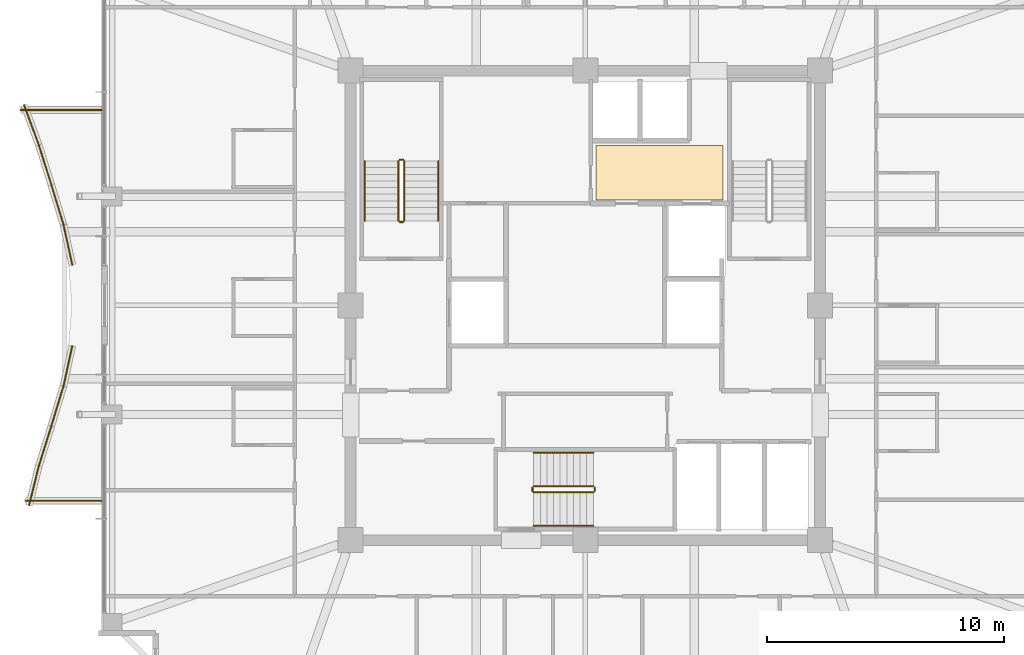
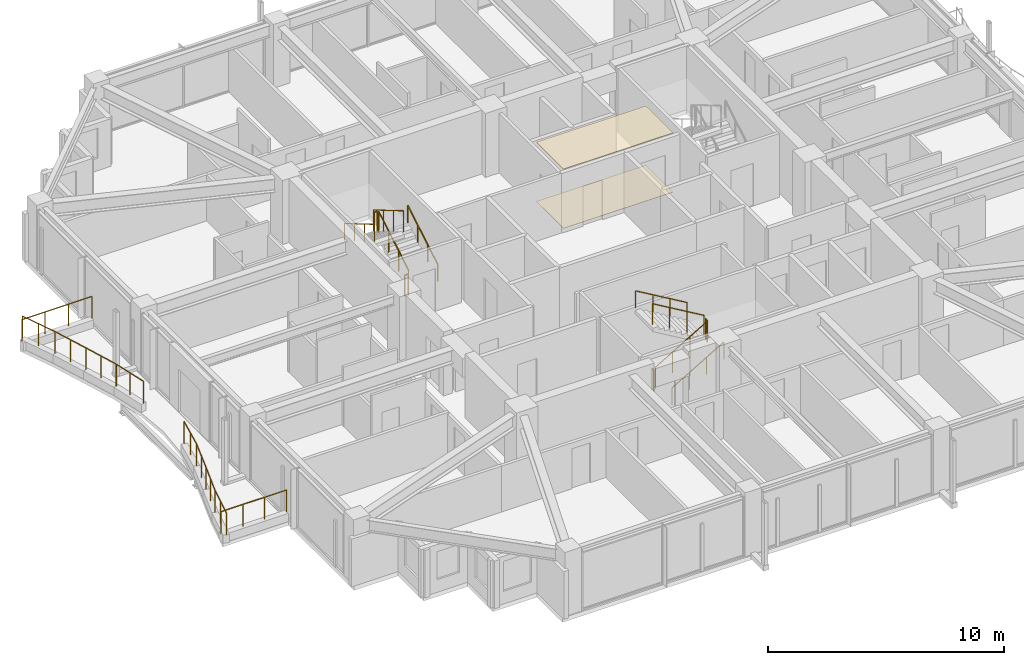
# One storey, part 34 of 35: 22 railings, 2 coverings.
"""IFC4 building model written with IfcOpenShell, lengths in metres."""

import ifcopenshell
import ifcopenshell.guid

model = None  # the IFC model being written
_history = None  # IfcOwnerHistory: only IFC2X3 demands one
_inside = {}  # id of a spatial element -> (the spatial element, [elements in it])
_under = {}  # id of a project, library or spatial element -> (it, [spatial elements below it])
_declared = {}  # id of a project -> (the project, [libraries it declares])
_typed = {}  # id of a type object -> (the type object, [elements of that type])
_made_of = {}  # id of a material, layer set ... -> (it, [elements and type objects made of it])


def new_model(schema):
    """Start an empty IFC model of exactly this schema.

    Asked for "IFC4X3", IfcOpenShell would pick the latest addendum, in which some entities
    have other attributes; the version numbers below select the first issue.
    IFC2X3 requires an IfcOwnerHistory on every rooted entity: one is made here for all.
    """
    global model, _history
    if schema == "IFC4X3":
        model = ifcopenshell.file(schema_version=(4, 3, 0, 0))
    else:
        model = ifcopenshell.file(schema=schema)
    _inside.clear()
    _under.clear()
    _declared.clear()
    _typed.clear()
    _made_of.clear()
    _history = None
    if model.schema == "IFC2X3":
        org = make("IfcOrganization", Name="unknown")
        user = make(
            "IfcPersonAndOrganization",
            ThePerson=make("IfcPerson", FamilyName="unknown"),
            TheOrganization=org,
        )
        app = make(
            "IfcApplication",
            ApplicationDeveloper=org,
            Version="unknown",
            ApplicationFullName="unknown",
            ApplicationIdentifier="unknown",
        )
        _history = make(
            "IfcOwnerHistory",
            OwningUser=user,
            OwningApplication=app,
            ChangeAction="ADDED",
            CreationDate=0,
        )
    return model


def make(cls, **values):
    """One entity of the class cls with the attributes given. An attribute that is None is left unset."""
    return model.create_entity(
        cls, **{name: value for name, value in values.items() if value is not None}
    )


def rooted(cls, **values):
    """An entity with a GlobalId (a new one), such as an element, a storey or a relation."""
    return make(cls, GlobalId=ifcopenshell.guid.new(), OwnerHistory=_history, **values)


def si_unit(unit_type, name, prefix=None):
    """IfcSIUnit, for example si_unit("LENGTHUNIT", "METRE", prefix="MILLI")."""
    return make("IfcSIUnit", UnitType=unit_type, Prefix=prefix, Name=name)


def assignment(units):
    """IfcUnitAssignment: the units of a project."""
    return None if units is None else make("IfcUnitAssignment", Units=units)


def point(xyz):
    """IfcCartesianPoint."""
    return None if xyz is None else make("IfcCartesianPoint", Coordinates=xyz)


def direction(xyz):
    """IfcDirection."""
    return None if xyz is None else make("IfcDirection", DirectionRatios=xyz)


def frame(location, z_axis=None, x_axis=None):
    """IfcAxis2Placement3D, a coordinate frame: its origin and axes. An axis left out is left unset."""
    return make(
        "IfcAxis2Placement3D",
        Location=point(location),
        Axis=direction(z_axis),
        RefDirection=direction(x_axis),
    )


def frame_2d(location, x_axis=None):
    """IfcAxis2Placement2D, a coordinate frame in the plane: its origin and x axis."""
    return make(
        "IfcAxis2Placement2D", Location=point(location), RefDirection=direction(x_axis)
    )


def origin():
    """The frame at (0, 0, 0) with its axes left unset."""
    return frame((0.0, 0.0, 0.0))


def origin_2d():
    """The frame at (0, 0) in the plane with its x axis left unset."""
    return frame_2d((0.0, 0.0))


def place(relative_to, where):
    """IfcLocalPlacement: puts the frame where relative to a parent placement (None: the world)."""
    return make(
        "IfcLocalPlacement", PlacementRelTo=relative_to, RelativePlacement=where
    )


def context(
    kind, dimensions, precision=None, world=None, true_north=None, identifier=None
):
    """IfcGeometricRepresentationContext, for example the 3D "Model" context."""
    return make(
        "IfcGeometricRepresentationContext",
        ContextIdentifier=identifier,
        ContextType=kind,
        CoordinateSpaceDimension=dimensions,
        Precision=precision,
        WorldCoordinateSystem=world,
        TrueNorth=true_north,
    )


def subcontext(parent, identifier, kind, view, scale=None):
    """IfcGeometricRepresentationSubContext, for example "Body" below "Model"."""
    return make(
        "IfcGeometricRepresentationSubContext",
        ContextIdentifier=identifier,
        ContextType=kind,
        ParentContext=parent,
        TargetScale=scale,
        TargetView=view,
    )


def project(units=None, contexts=None):
    """IfcProject with its units and contexts."""
    return rooted(
        "IfcProject",
        Name="project",
        RepresentationContexts=contexts,
        UnitsInContext=assignment(units),
    )


def spatial(cls, under=None, at=None, **own):
    """A site, building, storey or space (cls), placed at a placement, below another one or the project."""
    s = rooted(cls, ObjectPlacement=at, **own)
    if under is not None:
        _under.setdefault(under.id(), (under, []))[1].append(s)
    return s


def polyline(points):
    """IfcPolyline through the points."""
    return make("IfcPolyline", Points=[point(p) for p in points])


def profile(cls, at=None, kind="AREA", **sizes):
    """A parametric profile (cls). Its sizes go by their IFC names, for example OverallWidth=200.0."""
    return make(cls, ProfileType=kind, Position=at, **sizes)


def circle(**sizes):
    """IfcCircleProfileDef."""
    return profile("IfcCircleProfileDef", **sizes)


def outline(outer, holes=None, kind="AREA"):
    """IfcArbitraryClosedProfileDef: a profile drawn as a closed curve; with holes, ...WithVoids."""
    if holes is None:
        return make("IfcArbitraryClosedProfileDef", ProfileType=kind, OuterCurve=outer)
    return make(
        "IfcArbitraryProfileDefWithVoids",
        ProfileType=kind,
        OuterCurve=outer,
        InnerCurves=holes,
    )


def extrude(swept, where, along, depth):
    """IfcExtrudedAreaSolid: the profile swept, set in the frame where, extruded along a direction by depth."""
    return make(
        "IfcExtrudedAreaSolid",
        SweptArea=swept,
        Position=where,
        ExtrudedDirection=direction(along),
        Depth=depth,
    )


def shape(context_of_items, identifier, shape_type, items):
    """IfcShapeRepresentation: the items that make up one representation, for example the "Body"."""
    return make(
        "IfcShapeRepresentation",
        ContextOfItems=context_of_items,
        RepresentationIdentifier=identifier,
        RepresentationType=shape_type,
        Items=items,
    )


def material(Name=None, Category=None):
    """IfcMaterial."""
    return make("IfcMaterial", Name=Name, Category=Category)


def layer(
    of_material, thickness, ventilated=None, Name=None, Category=None, Priority=None
):
    """IfcMaterialLayer: one layer of a wall or slab, of a material (None: an air gap)."""
    return make(
        "IfcMaterialLayer",
        Material=of_material,
        LayerThickness=thickness,
        IsVentilated=ventilated,
        Name=Name,
        Category=Category,
        Priority=Priority,
    )


def layer_set(layers, Name=None):
    """IfcMaterialLayerSet."""
    return make("IfcMaterialLayerSet", MaterialLayers=layers, LayerSetName=Name)


def made_of(thing, what):
    """Note that an element or type object is made of a material, layer set ...; save() writes the relation."""
    if what is not None:
        _made_of.setdefault(what.id(), (what, []))[1].append(thing)
    return thing


def type_object(cls, material=None, **own):
    """A type object (cls), such as IfcWallType, which elements share."""
    return made_of(rooted(cls, **own), material)


def element(
    cls,
    number,
    at=None,
    inside=None,
    cuts=None,
    type_object=None,
    material=None,
    context=None,
    identifier="Body",
    shape_type=None,
    held_by="IfcProductDefinitionShape",
    body=None,
    shapes=None,
    **own,
):
    """One element of the class cls, such as IfcWall. Its Tag is "e" and its number.

    at: its placement. inside: the storey or other place that contains it. cuts: it is an
    opening in that element (IfcRelVoidsElement). A single representation is given by context,
    identifier, shape_type and body (its items); several are given by shapes. held_by: the class
    of the entity that holds the representations. save() writes the other relations.
    """
    e = rooted(cls, Tag="e%d" % number, ObjectPlacement=at, **own)
    if body is not None:
        shapes = [shape(context, identifier, shape_type, body)]
    if shapes is not None:
        e.Representation = make(held_by, Representations=shapes)
    if inside is not None:
        _inside.setdefault(inside.id(), (inside, []))[1].append(e)
    if cuts is not None:
        rooted(
            "IfcRelVoidsElement", RelatingBuildingElement=cuts, RelatedOpeningElement=e
        )
    if type_object is not None:
        _typed.setdefault(type_object.id(), (type_object, []))[1].append(e)
    return made_of(e, material)


def aggregate(whole, parts):
    """IfcRelAggregates: a whole, such as a stair, and the parts it consists of."""
    return rooted("IfcRelAggregates", RelatingObject=whole, RelatedObjects=parts)


def save(model, path):
    """Write the relations noted so far, then the file.

    IfcRelAggregates (storeys below a building ...), IfcRelContainedInSpatialStructure (elements
    in a storey), IfcRelDefinesByType, IfcRelAssociatesMaterial and IfcRelDeclares: one each for
    every whole, place, type object, material and project.
    """
    for whole, parts in _under.values():
        aggregate(whole, parts)
    for where, things in _inside.values():
        rooted(
            "IfcRelContainedInSpatialStructure",
            RelatedElements=things,
            RelatingStructure=where,
        )
    for kind, things in _typed.values():
        rooted("IfcRelDefinesByType", RelatedObjects=things, RelatingType=kind)
    for what, things in _made_of.values():
        rooted("IfcRelAssociatesMaterial", RelatedObjects=things, RelatingMaterial=what)
    for by, libraries in _declared.values():
        rooted("IfcRelDeclares", RelatingContext=by, RelatedDefinitions=libraries)
    model.write(path)


model = new_model("IFC4")

# Units and contexts
model_context = context("Model", 3, precision=1e-05, world=origin(), true_north=direction((0.0, 1.0)))
body_context = subcontext(model_context, "Body", "Model", "MODEL_VIEW")
ifc_project = project(units=[si_unit("LENGTHUNIT", "METRE"), si_unit("AREAUNIT", "SQUARE_METRE"), si_unit("VOLUMEUNIT", "CUBIC_METRE"), si_unit("PLANEANGLEUNIT", "RADIAN"), si_unit("MASSUNIT", "GRAM", prefix="KILO")], contexts=[model_context])

# Site, building, storey
site_placement = place(None, origin())
site = spatial("IfcSite", under=ifc_project, at=site_placement, CompositionType="ELEMENT")
building_placement = place(site_placement, origin())
building = spatial("IfcBuilding", under=site, at=building_placement, Name="Kolvaren Belvedere", CompositionType="ELEMENT")
storey_placement = place(building_placement, frame((0.0, 0.0, 216.300048828125)))
storey = spatial("IfcBuildingStorey", under=building, at=storey_placement, Name="L63", CompositionType="ELEMENT", Elevation=216.300048828125)

# Coverings
ifc_material_1 = material(Name="Acoustic perforated gypsum board", Category="gypsum")
ifc_layer_1 = layer(ifc_material_1, 0.02490234375)
ifc_layer_set_1 = layer_set([ifc_layer_1], Name="Acoustic perforated gypsum board")
covering_type_1 = type_object("IfcCoveringType", Name="COV-CEIL-GYP", PredefinedType="CEILING", material=ifc_layer_set_1)
covering_1_placement = place(storey_placement, frame((0.0, 0.0, 3.054931640625)))
element("IfcCovering", 1, at=covering_1_placement, inside=storey, type_object=covering_type_1, Name="L63 Lift Lobby Acoustic Baffle Ceiling", PredefinedType="CEILING", context=body_context, shape_type="SweptSolid", body=[
    extrude(outline(polyline([(0.449951171875, 4.449951171875), (5.800048828125, 4.449951171875), (5.800048828125, 6.75), (0.449951171875, 6.75), (0.449951171875, 4.449951171875)])), origin(), (0.0, 0.0, 1.0), 0.02490234375),
])
ifc_material_2 = material(Name="Engineered Pacific white oak", Category="timber")
ifc_layer_2 = layer(ifc_material_2, 0.02001953125)
ifc_layer_set_2 = layer_set([ifc_layer_2], Name="Engineered Pacific white oak")
covering_type_2 = type_object("IfcCoveringType", Name="COV-FLR-OAK", PredefinedType="FLOORING", material=ifc_layer_set_2)
covering_2_placement = place(storey_placement, origin())
element("IfcCovering", 2, at=covering_2_placement, inside=storey, type_object=covering_type_2, Name="L63 Lift Lobby Finish Flooring", PredefinedType="FLOORING", context=body_context, shape_type="SweptSolid", body=[
    extrude(outline(polyline([(0.449951171875, 4.449951171875), (5.800048828125, 4.449951171875), (5.800048828125, 6.75), (0.449951171875, 6.75), (0.449951171875, 4.449951171875)])), origin(), (0.0, 0.0, 1.0), 0.02001953125),
])

# Railings
ifc_material_3 = material(Name="Anodised pale-metal aluminium & laminated glass guard", Category="aluminium")
railing_type_1 = type_object("IfcRailingType", Name="RL-GUARD-1150", PredefinedType="GUARDRAIL", material=ifc_material_3)
railing_1_placement = place(storey_placement, frame((-23.669921875, 8.455322265625, 0.3798828125)))
element("IfcRailing", 3, at=railing_1_placement, inside=storey, type_object=railing_type_1, Name="L63 Exterior Deck Safety Guard BAL-W-1", PredefinedType="GUARDRAIL", context=body_context, shape_type="SweptSolid", body=[
    extrude(circle(Radius=0.02392578125, at=origin_2d()), frame((0.0, 0.0, 1.1259765625), z_axis=(0.346292864983, -0.938126458246, 0.0), x_axis=(0.938126458246, 0.346292864983, 0.0)), (0.0, 0.0, 1.0), 1.790771484375),
    extrude(circle(Radius=0.02099609375, at=origin_2d()), origin(), (0.0, 0.0, 1.0), 1.101806640625),
    extrude(circle(Radius=0.02099609375, at=origin_2d()), frame((0.31005859375, -0.83984375, 0.0)), (0.0, 0.0, 1.0), 1.101806640625),
    extrude(circle(Radius=0.02099609375, at=origin_2d()), frame((0.6201171875, -1.679931640625, 0.0)), (0.0, 0.0, 1.0), 1.101806640625),
])
railing_2_placement = place(storey_placement, frame((-23.047119140625, 6.767822265625, 0.3798828125)))
element("IfcRailing", 4, at=railing_2_placement, inside=storey, type_object=railing_type_1, Name="L63 Exterior Deck Safety Guard BAL-W-2", PredefinedType="GUARDRAIL", context=body_context, shape_type="SweptSolid", body=[
    extrude(circle(Radius=0.02392578125, at=origin_2d()), frame((0.0, 0.0, 1.1259765625), z_axis=(0.299624691176, -0.954057149461, 0.0), x_axis=(0.954057149461, 0.299624691176, 0.0)), (0.0, 0.0, 1.0), 1.7607421875),
    extrude(circle(Radius=0.02099609375, at=origin_2d()), origin(), (0.0, 0.0, 1.0), 1.101806640625),
    extrude(circle(Radius=0.02099609375, at=origin_2d()), frame((0.263671875, -0.83984375, 0.0)), (0.0, 0.0, 1.0), 1.101806640625),
    extrude(circle(Radius=0.02099609375, at=origin_2d()), frame((0.527587890625, -1.679931640625, 0.0)), (0.0, 0.0, 1.0), 1.101806640625),
])
railing_3_placement = place(storey_placement, frame((-22.51904296875, 5.086669921875, 0.3798828125)))
element("IfcRailing", 5, at=railing_3_placement, inside=storey, type_object=railing_type_1, Name="L63 Exterior Deck Safety Guard BAL-W-3", PredefinedType="GUARDRAIL", context=body_context, shape_type="SweptSolid", body=[
    extrude(circle(Radius=0.02392578125, at=origin_2d()), frame((0.0, 0.0, 1.1259765625), z_axis=(0.290840734999, -0.956771481005, 0.0), x_axis=(0.956771481005, 0.290840734999, 0.0)), (0.0, 0.0, 1.0), 1.756103515625),
    extrude(circle(Radius=0.02099609375, at=origin_2d()), origin(), (0.0, 0.0, 1.0), 1.101806640625),
    extrude(circle(Radius=0.02099609375, at=origin_2d()), frame((0.25537109375, -0.840087890625, 0.0)), (0.0, 0.0, 1.0), 1.101806640625),
    extrude(circle(Radius=0.02099609375, at=origin_2d()), frame((0.5107421875, -1.68017578125, 0.0)), (0.0, 0.0, 1.0), 1.101806640625),
])
railing_4_placement = place(storey_placement, frame((-22.0048828125, 3.394287109375, 0.3798828125)))
element("IfcRailing", 6, at=railing_4_placement, inside=storey, type_object=railing_type_1, Name="L63 Exterior Deck Safety Guard BAL-W-4", PredefinedType="GUARDRAIL", context=body_context, shape_type="SweptSolid", body=[
    extrude(circle(Radius=0.02392578125, at=origin_2d()), frame((0.0, 0.0, 1.1259765625), z_axis=(0.213773077423, -0.976883345835, 0.0), x_axis=(0.976883345835, 0.213773077423, 0.0)), (0.0, 0.0, 1.0), 1.719970703125),
    extrude(circle(Radius=0.02099609375, at=origin_2d()), origin(), (0.0, 0.0, 1.0), 1.101806640625),
    extrude(circle(Radius=0.02099609375, at=origin_2d()), frame((0.183837890625, -0.840087890625, 0.0)), (0.0, 0.0, 1.0), 1.101806640625),
    extrude(circle(Radius=0.02099609375, at=origin_2d()), frame((0.36767578125, -1.68017578125, 0.0)), (0.0, 0.0, 1.0), 1.101806640625),
])
railing_5_placement = place(storey_placement, frame((-21.63720703125, -1.714111328125, 0.3798828125)))
element("IfcRailing", 7, at=railing_5_placement, inside=storey, type_object=railing_type_1, Name="L63 Exterior Deck Safety Guard BAL-W-7", PredefinedType="GUARDRAIL", context=body_context, shape_type="SweptSolid", body=[
    extrude(circle(Radius=0.02392578125, at=origin_2d()), frame((0.0, 0.0, 1.1259765625), z_axis=(-0.213773077423, -0.976883345835, 0.0), x_axis=(0.976883345835, -0.213773077423, 0.0)), (0.0, 0.0, 1.0), 1.719970703125),
    extrude(circle(Radius=0.02099609375, at=origin_2d()), origin(), (0.0, 0.0, 1.0), 1.101806640625),
    extrude(circle(Radius=0.02099609375, at=origin_2d()), frame((-0.183837890625, -0.840087890625, 0.0)), (0.0, 0.0, 1.0), 1.101806640625),
    extrude(circle(Radius=0.02099609375, at=origin_2d()), frame((-0.36767578125, -1.68017578125, 0.0)), (0.0, 0.0, 1.0), 1.101806640625),
])
railing_6_placement = place(storey_placement, frame((-22.00830078125, -3.406494140625, 0.3798828125)))
element("IfcRailing", 8, at=railing_6_placement, inside=storey, type_object=railing_type_1, Name="L63 Exterior Deck Safety Guard BAL-W-8", PredefinedType="GUARDRAIL", context=body_context, shape_type="SweptSolid", body=[
    extrude(circle(Radius=0.02392578125, at=origin_2d()), frame((0.0, 0.0, 1.1259765625), z_axis=(-0.290840734999, -0.956771481005, 0.0), x_axis=(0.956771481005, -0.290840734999, 0.0)), (0.0, 0.0, 1.0), 1.756103515625),
    extrude(circle(Radius=0.02099609375, at=origin_2d()), origin(), (0.0, 0.0, 1.0), 1.101806640625),
    extrude(circle(Radius=0.02099609375, at=origin_2d()), frame((-0.25537109375, -0.840087890625, 0.0)), (0.0, 0.0, 1.0), 1.101806640625),
    extrude(circle(Radius=0.02099609375, at=origin_2d()), frame((-0.5107421875, -1.68017578125, 0.0)), (0.0, 0.0, 1.0), 1.101806640625),
])
railing_7_placement = place(storey_placement, frame((-22.51953125, -5.087890625, 0.3798828125)))
element("IfcRailing", 9, at=railing_7_placement, inside=storey, type_object=railing_type_1, Name="L63 Exterior Deck Safety Guard BAL-W-9", PredefinedType="GUARDRAIL", context=body_context, shape_type="SweptSolid", body=[
    extrude(circle(Radius=0.02392578125, at=origin_2d()), frame((0.0, 0.0, 1.1259765625), z_axis=(-0.299624691176, -0.954057149461, 0.0), x_axis=(0.954057149461, -0.299624691176, 0.0)), (0.0, 0.0, 1.0), 1.7607421875),
    extrude(circle(Radius=0.02099609375, at=origin_2d()), origin(), (0.0, 0.0, 1.0), 1.101806640625),
    extrude(circle(Radius=0.02099609375, at=origin_2d()), frame((-0.263671875, -0.83984375, 0.0)), (0.0, 0.0, 1.0), 1.101806640625),
    extrude(circle(Radius=0.02099609375, at=origin_2d()), frame((-0.527587890625, -1.679931640625, 0.0)), (0.0, 0.0, 1.0), 1.101806640625),
])
railing_8_placement = place(storey_placement, frame((-23.04443359375, -6.75830078125, 0.3798828125)))
element("IfcRailing", 10, at=railing_8_placement, inside=storey, type_object=railing_type_1, Name="L63 Exterior Deck Safety Guard BAL-W-10", PredefinedType="GUARDRAIL", context=body_context, shape_type="SweptSolid", body=[
    extrude(circle(Radius=0.02392578125, at=origin_2d()), frame((0.0, 0.0, 1.1259765625), z_axis=(-0.239180748277, -0.970975061293, 0.0), x_axis=(0.970975061293, -0.239180748277, 0.0)), (0.0, 0.0, 1.0), 1.730224609375),
    extrude(circle(Radius=0.02099609375, at=origin_2d()), origin(), (0.0, 0.0, 1.0), 1.101806640625),
    extrude(circle(Radius=0.02099609375, at=origin_2d()), frame((-0.20703125, -0.83984375, 0.0)), (0.0, 0.0, 1.0), 1.101806640625),
    extrude(circle(Radius=0.02099609375, at=origin_2d()), frame((-0.413818359375, -1.679931640625, 0.0)), (0.0, 0.0, 1.0), 1.101806640625),
])
railing_9_placement = place(storey_placement, frame((-23.61376953125, -8.239990234375, 0.3798828125)))
element("IfcRailing", 11, at=railing_9_placement, inside=storey, type_object=railing_type_1, Name="L63 Exterior Deck Safety Guard BAL-W-11", PredefinedType="GUARDRAIL", context=body_context, shape_type="SweptSolid", body=[
    extrude(circle(Radius=0.02392578125, at=origin_2d()), frame((0.0, 0.0, 1.1259765625), z_axis=(1.0, 0.0, 0.0), x_axis=(0.0, 1.0, 0.0)), (0.0, 0.0, 1.0), 3.2138671875),
    extrude(circle(Radius=0.02099609375, at=origin_2d()), origin(), (0.0, 0.0, 1.0), 1.101806640625),
    extrude(circle(Radius=0.02099609375, at=origin_2d()), frame((1.0712890625, 0.0, 0.0)), (0.0, 0.0, 1.0), 1.101806640625),
    extrude(circle(Radius=0.02099609375, at=origin_2d()), frame((2.142578125, 0.0, 0.0)), (0.0, 0.0, 1.0), 1.101806640625),
    extrude(circle(Radius=0.02099609375, at=origin_2d()), frame((3.2138671875, 0.0, 0.0)), (0.0, 0.0, 1.0), 1.101806640625),
])
railing_10_placement = place(storey_placement, frame((-20.39990234375, 8.239990234375, 0.3798828125)))
element("IfcRailing", 12, at=railing_10_placement, inside=storey, type_object=railing_type_1, Name="L63 Exterior Deck Safety Guard BAL-W-22", PredefinedType="GUARDRAIL", context=body_context, shape_type="SweptSolid", body=[
    extrude(circle(Radius=0.02392578125, at=origin_2d()), frame((0.0, 0.0, 1.1259765625), z_axis=(-1.0, 0.0, 0.0), x_axis=(0.0, -1.0, 0.0)), (0.0, 0.0, 1.0), 3.420166015625),
    extrude(circle(Radius=0.02099609375, at=origin_2d()), origin(), (0.0, 0.0, 1.0), 1.101806640625),
    extrude(circle(Radius=0.02099609375, at=origin_2d()), frame((-1.14013671875, 0.0, 0.0)), (0.0, 0.0, 1.0), 1.101806640625),
    extrude(circle(Radius=0.02099609375, at=origin_2d()), frame((-2.280029296875, 0.0, 0.0)), (0.0, 0.0, 1.0), 1.101806640625),
    extrude(circle(Radius=0.02099609375, at=origin_2d()), frame((-3.420166015625, 0.0, 0.0)), (0.0, 0.0, 1.0), 1.101806640625),
])
ifc_material_4 = material(Name="Brushed stainless-steel handrail", Category="steel")
railing_type_2 = type_object("IfcRailingType", Name="RL-HANDRAIL-920", PredefinedType="HANDRAIL", material=ifc_material_4)
railing_11_placement = place(storey_placement, frame((-6.2099609375, 3.570068359375, 0.1650390625)))
element("IfcRailing", 13, at=railing_11_placement, inside=storey, type_object=railing_type_2, Name="L63 ST-1 stair handrail 1", PredefinedType="HANDRAIL", context=body_context, shape_type="SweptSolid", body=[
    extrude(circle(Radius=0.02392578125, at=origin_2d()), frame((0.0, 0.0, 0.8759765625), z_axis=(0.0, 0.861560626758, 0.507654692109), x_axis=(-1.0, 0.0, 0.0)), (0.0, 0.0, 1.0), 2.925048828125),
    extrude(circle(Radius=0.02099609375, at=origin_2d()), origin(), (0.0, 0.0, 1.0), 0.851806640625),
    extrude(circle(Radius=0.02099609375, at=origin_2d()), frame((0.0, 0.840087890625, 0.494873046875)), (0.0, 0.0, 1.0), 0.851806640625),
    extrude(circle(Radius=0.02099609375, at=origin_2d()), frame((0.0, 1.679931640625, 0.989990234375)), (0.0, 0.0, 1.0), 0.851806640625),
    extrude(circle(Radius=0.02099609375, at=origin_2d()), frame((0.0, 2.52001953125, 1.48486328125)), (0.0, 0.0, 1.0), 0.851806640625),
])
railing_12_placement = place(storey_placement, frame((-9.300048828125, 6.090087890625, 1.81494140625)))
element("IfcRailing", 14, at=railing_12_placement, inside=storey, type_object=railing_type_2, Name="L63 ST-1 stair handrail 2", PredefinedType="HANDRAIL", context=body_context, shape_type="SweptSolid", body=[
    extrude(circle(Radius=0.02392578125, at=origin_2d()), frame((0.0, 0.0, 0.8759765625), z_axis=(0.0, -0.86152411907, 0.507716645641), x_axis=(1.0, 0.0, 0.0)), (0.0, 0.0, 1.0), 2.925048828125),
    extrude(circle(Radius=0.02099609375, at=origin_2d()), origin(), (0.0, 0.0, 1.0), 0.851806640625),
    extrude(circle(Radius=0.02099609375, at=origin_2d()), frame((0.0, -0.840087890625, 0.4951171875)), (0.0, 0.0, 1.0), 0.851806640625),
    extrude(circle(Radius=0.02099609375, at=origin_2d()), frame((0.0, -1.679931640625, 0.989990234375)), (0.0, 0.0, 1.0), 0.851806640625),
    extrude(circle(Radius=0.02099609375, at=origin_2d()), frame((0.0, -2.52001953125, 1.485107421875)), (0.0, 0.0, 1.0), 0.851806640625),
])
railing_13_placement = place(storey_placement, frame((-2.179931640625, -9.300048828125, 0.1650390625)))
element("IfcRailing", 15, at=railing_13_placement, inside=storey, type_object=railing_type_2, Name="L63 ST-3 stair handrail 1", PredefinedType="HANDRAIL", context=body_context, shape_type="SweptSolid", body=[
    extrude(circle(Radius=0.02392578125, at=origin_2d()), frame((0.0, 0.0, 0.8759765625), z_axis=(0.861560626758, 0.0, 0.507654692109), x_axis=(0.0, 1.0, 0.0)), (0.0, 0.0, 1.0), 2.925048828125),
    extrude(circle(Radius=0.02099609375, at=origin_2d()), origin(), (0.0, 0.0, 1.0), 0.851806640625),
    extrude(circle(Radius=0.02099609375, at=origin_2d()), frame((0.840087890625, 0.0, 0.494873046875)), (0.0, 0.0, 1.0), 0.851806640625),
    extrude(circle(Radius=0.02099609375, at=origin_2d()), frame((1.679931640625, 0.0, 0.989990234375)), (0.0, 0.0, 1.0), 0.851806640625),
    extrude(circle(Radius=0.02099609375, at=origin_2d()), frame((2.52001953125, 0.0, 1.48486328125)), (0.0, 0.0, 1.0), 0.851806640625),
])
railing_14_placement = place(storey_placement, frame((0.340087890625, -6.2099609375, 1.81494140625)))
element("IfcRailing", 16, at=railing_14_placement, inside=storey, type_object=railing_type_2, Name="L63 ST-3 stair handrail 2", PredefinedType="HANDRAIL", context=body_context, shape_type="SweptSolid", body=[
    extrude(circle(Radius=0.02392578125, at=origin_2d()), frame((0.0, 0.0, 0.8759765625), z_axis=(-0.86152411907, 0.0, 0.507716645641), x_axis=(0.0, -1.0, 0.0)), (0.0, 0.0, 1.0), 2.925048828125),
    extrude(circle(Radius=0.02099609375, at=origin_2d()), origin(), (0.0, 0.0, 1.0), 0.851806640625),
    extrude(circle(Radius=0.02099609375, at=origin_2d()), frame((-0.840087890625, 0.0, 0.4951171875)), (0.0, 0.0, 1.0), 0.851806640625),
    extrude(circle(Radius=0.02099609375, at=origin_2d()), frame((-1.679931640625, 0.0, 0.989990234375)), (0.0, 0.0, 1.0), 0.851806640625),
    extrude(circle(Radius=0.02099609375, at=origin_2d()), frame((-2.52001953125, 0.0, 1.485107421875)), (0.0, 0.0, 1.0), 0.851806640625),
])
ifc_material_5 = material(Name="Painted tubular steel stair guard", Category="steel")
railing_type_3 = type_object("IfcRailingType", Name="RL-STGUARD-1100", PredefinedType="GUARDRAIL", material=ifc_material_5)
railing_15_placement = place(storey_placement, frame((-7.6298828125, 3.570068359375, 0.1650390625)))
element("IfcRailing", 17, at=railing_15_placement, inside=storey, type_object=railing_type_3, Name="L63 ST-1 stair guard 1", PredefinedType="GUARDRAIL", context=body_context, shape_type="SweptSolid", body=[
    extrude(circle(Radius=0.02392578125, at=origin_2d()), frame((0.0, 0.0, 1.076171875), z_axis=(0.0, 0.861560626758, 0.507654692109), x_axis=(-1.0, 0.0, 0.0)), (0.0, 0.0, 1.0), 2.925048828125),
    extrude(circle(Radius=0.02099609375, at=origin_2d()), origin(), (0.0, 0.0, 1.0), 1.052001953125),
    extrude(circle(Radius=0.02099609375, at=origin_2d()), frame((0.0, 0.840087890625, 0.494873046875)), (0.0, 0.0, 1.0), 1.052001953125),
    extrude(circle(Radius=0.02099609375, at=origin_2d()), frame((0.0, 1.679931640625, 0.989990234375)), (0.0, 0.0, 1.0), 1.052001953125),
    extrude(circle(Radius=0.02099609375, at=origin_2d()), frame((0.0, 2.52001953125, 1.48486328125)), (0.0, 0.0, 1.0), 1.052001953125),
])
railing_16_placement = place(storey_placement, frame((-7.679931640625, 6.139892578125, 1.64990234375)))
element("IfcRailing", 18, at=railing_16_placement, inside=storey, type_object=railing_type_3, Name="L63 ST-1 stair guard 2", PredefinedType="GUARDRAIL", context=body_context, shape_type="SweptSolid", body=[
    extrude(circle(Radius=0.02392578125, at=origin_2d()), frame((0.0, 0.0, 1.076171875), z_axis=(-1.0, 0.0, 0.0), x_axis=(0.0, -1.0, 0.0)), (0.0, 0.0, 1.0), 0.150146484375),
    extrude(circle(Radius=0.02099609375, at=origin_2d()), origin(), (0.0, 0.0, 1.0), 1.052001953125),
    extrude(circle(Radius=0.02099609375, at=origin_2d()), frame((-0.150146484375, 0.0, 0.0)), (0.0, 0.0, 1.0), 1.052001953125),
])
railing_17_placement = place(storey_placement, frame((-7.8798828125, 6.090087890625, 1.81494140625)))
element("IfcRailing", 19, at=railing_17_placement, inside=storey, type_object=railing_type_3, Name="L63 ST-1 stair guard 3", PredefinedType="GUARDRAIL", context=body_context, shape_type="SweptSolid", body=[
    extrude(circle(Radius=0.02392578125, at=origin_2d()), frame((0.0, 0.0, 1.076171875), z_axis=(0.0, -0.86152411907, 0.507716645641), x_axis=(1.0, 0.0, 0.0)), (0.0, 0.0, 1.0), 2.925048828125),
    extrude(circle(Radius=0.02099609375, at=origin_2d()), origin(), (0.0, 0.0, 1.0), 1.052001953125),
    extrude(circle(Radius=0.02099609375, at=origin_2d()), frame((0.0, -0.840087890625, 0.4951171875)), (0.0, 0.0, 1.0), 1.052001953125),
    extrude(circle(Radius=0.02099609375, at=origin_2d()), frame((0.0, -1.679931640625, 0.989990234375)), (0.0, 0.0, 1.0), 1.052001953125),
    extrude(circle(Radius=0.02099609375, at=origin_2d()), frame((0.0, -2.52001953125, 1.485107421875)), (0.0, 0.0, 1.0), 1.052001953125),
])
railing_18_placement = place(storey_placement, frame((-7.679931640625, 3.52001953125, 0.0)))
element("IfcRailing", 20, at=railing_18_placement, inside=storey, type_object=railing_type_3, Name="L63 ST-1 stair guard 4", PredefinedType="GUARDRAIL", context=body_context, shape_type="SweptSolid", body=[
    extrude(circle(Radius=0.02392578125, at=origin_2d()), frame((0.0, 0.0, 1.076171875), z_axis=(-1.0, 0.0, 0.0), x_axis=(0.0, -1.0, 0.0)), (0.0, 0.0, 1.0), 0.150146484375),
    extrude(circle(Radius=0.02099609375, at=origin_2d()), origin(), (0.0, 0.0, 1.0), 1.052001953125),
    extrude(circle(Radius=0.02099609375, at=origin_2d()), frame((-0.150146484375, 0.0, 0.0)), (0.0, 0.0, 1.0), 1.052001953125),
])
railing_19_placement = place(storey_placement, frame((-2.179931640625, -7.8798828125, 0.1650390625)))
element("IfcRailing", 21, at=railing_19_placement, inside=storey, type_object=railing_type_3, Name="L63 ST-3 stair guard 1", PredefinedType="GUARDRAIL", context=body_context, shape_type="SweptSolid", body=[
    extrude(circle(Radius=0.02392578125, at=origin_2d()), frame((0.0, 0.0, 1.076171875), z_axis=(0.861560626758, 0.0, 0.507654692109), x_axis=(0.0, 1.0, 0.0)), (0.0, 0.0, 1.0), 2.925048828125),
    extrude(circle(Radius=0.02099609375, at=origin_2d()), origin(), (0.0, 0.0, 1.0), 1.052001953125),
    extrude(circle(Radius=0.02099609375, at=origin_2d()), frame((0.840087890625, 0.0, 0.494873046875)), (0.0, 0.0, 1.0), 1.052001953125),
    extrude(circle(Radius=0.02099609375, at=origin_2d()), frame((1.679931640625, 0.0, 0.989990234375)), (0.0, 0.0, 1.0), 1.052001953125),
    extrude(circle(Radius=0.02099609375, at=origin_2d()), frame((2.52001953125, 0.0, 1.48486328125)), (0.0, 0.0, 1.0), 1.052001953125),
])
railing_20_placement = place(storey_placement, frame((0.389892578125, -7.830078125, 1.64990234375)))
element("IfcRailing", 22, at=railing_20_placement, inside=storey, type_object=railing_type_3, Name="L63 ST-3 stair guard 2", PredefinedType="GUARDRAIL", context=body_context, shape_type="SweptSolid", body=[
    extrude(circle(Radius=0.02392578125, at=origin_2d()), frame((0.0, 0.0, 1.076171875), z_axis=(0.0, 1.0, 0.0), x_axis=(-1.0, 0.0, 0.0)), (0.0, 0.0, 1.0), 0.150146484375),
    extrude(circle(Radius=0.02099609375, at=origin_2d()), origin(), (0.0, 0.0, 1.0), 1.052001953125),
    extrude(circle(Radius=0.02099609375, at=origin_2d()), frame((0.0, 0.150146484375, 0.0)), (0.0, 0.0, 1.0), 1.052001953125),
])
railing_21_placement = place(storey_placement, frame((0.340087890625, -7.6298828125, 1.81494140625)))
element("IfcRailing", 23, at=railing_21_placement, inside=storey, type_object=railing_type_3, Name="L63 ST-3 stair guard 3", PredefinedType="GUARDRAIL", context=body_context, shape_type="SweptSolid", body=[
    extrude(circle(Radius=0.02392578125, at=origin_2d()), frame((0.0, 0.0, 1.076171875), z_axis=(-0.86152411907, 0.0, 0.507716645641), x_axis=(0.0, -1.0, 0.0)), (0.0, 0.0, 1.0), 2.925048828125),
    extrude(circle(Radius=0.02099609375, at=origin_2d()), origin(), (0.0, 0.0, 1.0), 1.052001953125),
    extrude(circle(Radius=0.02099609375, at=origin_2d()), frame((-0.840087890625, 0.0, 0.4951171875)), (0.0, 0.0, 1.0), 1.052001953125),
    extrude(circle(Radius=0.02099609375, at=origin_2d()), frame((-1.679931640625, 0.0, 0.989990234375)), (0.0, 0.0, 1.0), 1.052001953125),
    extrude(circle(Radius=0.02099609375, at=origin_2d()), frame((-2.52001953125, 0.0, 1.485107421875)), (0.0, 0.0, 1.0), 1.052001953125),
])
railing_22_placement = place(storey_placement, frame((-2.22998046875, -7.830078125, 0.0)))
element("IfcRailing", 24, at=railing_22_placement, inside=storey, type_object=railing_type_3, Name="L63 ST-3 stair guard 4", PredefinedType="GUARDRAIL", context=body_context, shape_type="SweptSolid", body=[
    extrude(circle(Radius=0.02392578125, at=origin_2d()), frame((0.0, 0.0, 1.076171875), z_axis=(0.0, 1.0, 0.0), x_axis=(-1.0, 0.0, 0.0)), (0.0, 0.0, 1.0), 0.150146484375),
    extrude(circle(Radius=0.02099609375, at=origin_2d()), origin(), (0.0, 0.0, 1.0), 1.052001953125),
    extrude(circle(Radius=0.02099609375, at=origin_2d()), frame((0.0, 0.150146484375, 0.0)), (0.0, 0.0, 1.0), 1.052001953125),
])

save(model, "model.ifc")
